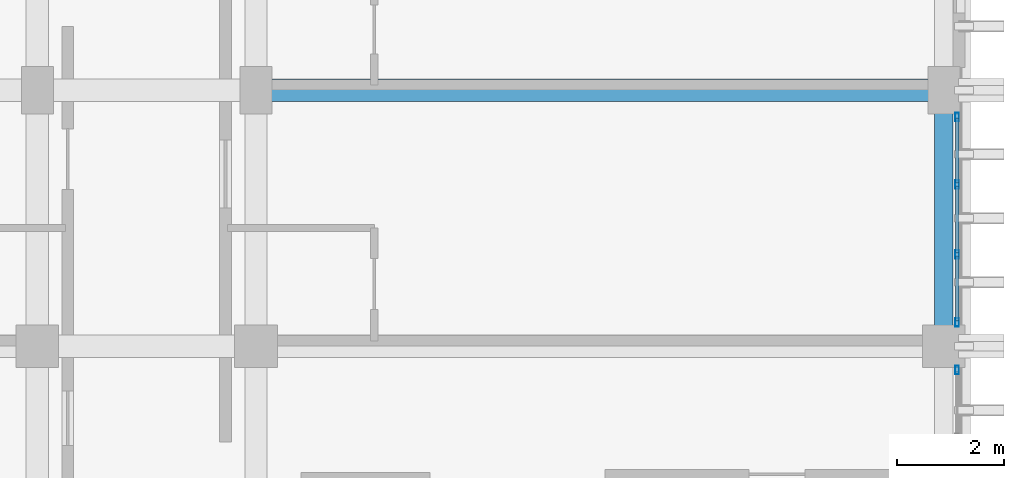
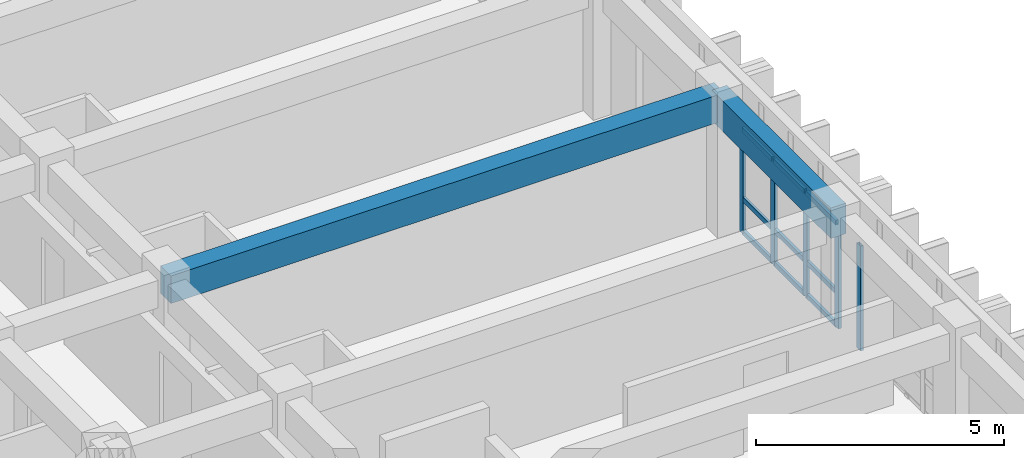
# One storey, part 27 of 82: 14 members, 2 beams, 2 elements without a shape of their own.
"""IFC4 building model written with IfcOpenShell, lengths in metres."""

from ifc_helpers import new_model, si_unit, direction, frame, origin, origin_2d, place, context, subcontext, project, spatial, rectangle, hollow_rectangle, extrude, material, layer, layer_set, material_profile, profile_set, type_object, element, aggregate, save


model = new_model("IFC4")

# Units and contexts
model_context = context("Model", 3, precision=1e-05, world=origin(), true_north=direction((0.0, 1.0)))
body_context = subcontext(model_context, "Body", "Model", "MODEL_VIEW")
ifc_project = project(units=[si_unit("LENGTHUNIT", "METRE"), si_unit("AREAUNIT", "SQUARE_METRE"), si_unit("VOLUMEUNIT", "CUBIC_METRE"), si_unit("PLANEANGLEUNIT", "RADIAN"), si_unit("MASSUNIT", "GRAM", prefix="KILO")], contexts=[model_context])

# Site, building, storey
site_placement = place(None, origin())
site = spatial("IfcSite", under=ifc_project, at=site_placement, CompositionType="ELEMENT")
building_placement = place(site_placement, origin())
building = spatial("IfcBuilding", under=site, at=building_placement, Name="Nakhvara Creek Congress Hotel", CompositionType="ELEMENT")
storey_placement = place(building_placement, frame((0.0, 0.0, 21.0)))
storey = spatial("IfcBuildingStorey", under=building, at=storey_placement, Name="L04", CompositionType="ELEMENT", Elevation=21.0)

# Beams
ifc_material_1 = material(Name="Concrete C40/50", Category="concrete")
ifc_material_profile_1 = material_profile(ifc_material_1, rectangle(XDim=0.419921875, YDim=0.679931640625, at=origin_2d()), Name="RC-BM 420x680", Category="LoadBearing")
ifc_profile_set_1 = profile_set([ifc_material_profile_1], Name="Concrete C40/50")
beam_type_1 = type_object("IfcBeamType", Name="BM-RC-420X680", PredefinedType="BEAM", material=ifc_profile_set_1)
beam_1_placement = place(storey_placement, frame((166.449951171875, 72.0, 3.0), z_axis=(1.0, 0.0, 0.0), x_axis=(0.0, 1.0, 0.0)))
element("IfcBeam", 1, at=beam_1_placement, inside=storey, type_object=beam_type_1, Name="Beam B11-L04-2052", PredefinedType="BEAM", context=body_context, shape_type="SweptSolid", body=[
    extrude(rectangle(XDim=0.419921875, YDim=0.679931640625, at=origin_2d()), origin(), (0.0, 0.0, 1.0), 12.900146484375),
])
ifc_material_profile_2 = material_profile(ifc_material_1, rectangle(XDim=0.35009765625, YDim=0.75, at=origin_2d()), Name="RC-SPANDREL 350x750", Category="LoadBearing")
ifc_profile_set_2 = profile_set([ifc_material_profile_2], Name="Concrete C40/50")
beam_type_2 = type_object("IfcBeamType", Name="BM-SPN-350X750", PredefinedType="SPANDREL", material=ifc_profile_set_2)
beam_2_placement = place(storey_placement, frame((179.35009765625, 67.199951171875, 2.965087890625), z_axis=(0.0, 1.0, 0.0), x_axis=(-1.0, 0.0, 0.0)))
element("IfcBeam", 2, at=beam_2_placement, inside=storey, type_object=beam_type_2, Name="Beam SP1-L04-2017", PredefinedType="SPANDREL", context=body_context, shape_type="SweptSolid", body=[
    extrude(rectangle(XDim=0.35009765625, YDim=0.75, at=origin_2d()), origin(), (0.0, 0.0, 1.0), 4.800048828125),
])

# Curtain wall, member
ifc_material_2 = material(Name="Bronze-anodised aluminium AW-6063-T6 and double-silver low-E glass", Category="aluminium")
ifc_layer = layer(ifc_material_2, 0.199951171875)
ifc_layer_set = layer_set([ifc_layer], Name="Bronze-anodised aluminium AW-6063-T6 and double-silver low-E glass")
curtain_wall_type = type_object("IfcCurtainWallType", Name="CW-HTL-UNIT", PredefinedType="USERDEFINED", material=ifc_layer_set)
curtain_wall_1_placement = place(storey_placement, origin())
curtain_wall_1 = element("IfcCurtainWall", 3, at=curtain_wall_1_placement, inside=storey, type_object=curtain_wall_type, Name="Curtain Wall CW184", ObjectType="UNITISED", PredefinedType="USERDEFINED")
ifc_material_3 = material(Name="Bronze-anodised aluminium AW-6063-T6", Category="aluminium")
ifc_material_profile_3 = material_profile(ifc_material_3, hollow_rectangle(XDim=0.06494140625, YDim=0.159912109375, WallThickness=0.00390625, at=origin_2d()), Name="ALU-MULL 65x160x4", Category="LoadBearing")
ifc_profile_set_3 = profile_set([ifc_material_profile_3], Name="Bronze-anodised aluminium AW-6063-T6")
member_type_1 = type_object("IfcMemberType", Name="CW-MULL-160", PredefinedType="MULLION", material=ifc_profile_set_3)
member_1_placement = place(storey_placement, frame((179.60009765625, 66.75244140625, 0.0), z_axis=(0.0, 0.0, 1.0), x_axis=(1.0, 0.0, 0.0)))
member_1 = element("IfcMember", 4, at=member_1_placement, type_object=member_type_1, Name="CW184 mullion 1", PredefinedType="MULLION", context=body_context, shape_type="SweptSolid", body=[
    extrude(hollow_rectangle(XDim=0.06494140625, YDim=0.159912109375, WallThickness=0.00390625, at=origin_2d()), origin(), (0.0, 0.0, 1.0), 2.58203125),
])
aggregate(curtain_wall_1, [member_1])

# Curtain wall, members
curtain_wall_2_placement = place(storey_placement, origin())
curtain_wall_2 = element("IfcCurtainWall", 5, at=curtain_wall_2_placement, inside=storey, type_object=curtain_wall_type, Name="Curtain Wall CW186", ObjectType="UNITISED", PredefinedType="USERDEFINED")
member_2_placement = place(storey_placement, frame((179.60009765625, 71.50244140625, 0.0), z_axis=(0.0, 0.0, 1.0), x_axis=(1.0, 0.0, 0.0)))
member_2 = element("IfcMember", 6, at=member_2_placement, type_object=member_type_1, Name="CW186 mullion 1", PredefinedType="MULLION", context=body_context, shape_type="SweptSolid", body=[
    extrude(hollow_rectangle(XDim=0.06494140625, YDim=0.159912109375, WallThickness=0.00390625, at=origin_2d()), origin(), (0.0, 0.0, 1.0), 2.58203125),
])
member_3_placement = place(storey_placement, frame((179.60009765625, 70.228271484375, 0.0), z_axis=(0.0, 0.0, 1.0), x_axis=(1.0, 0.0, 0.0)))
member_3 = element("IfcMember", 7, at=member_3_placement, type_object=member_type_1, Name="CW186 mullion 2", PredefinedType="MULLION", context=body_context, shape_type="SweptSolid", body=[
    extrude(hollow_rectangle(XDim=0.06494140625, YDim=0.159912109375, WallThickness=0.00390625, at=origin_2d()), origin(), (0.0, 0.0, 1.0), 2.58203125),
])
member_4_placement = place(storey_placement, frame((179.60009765625, 68.921630859375, 0.0), z_axis=(0.0, 0.0, 1.0), x_axis=(1.0, 0.0, 0.0)))
member_4 = element("IfcMember", 8, at=member_4_placement, type_object=member_type_1, Name="CW186 mullion 3", PredefinedType="MULLION", context=body_context, shape_type="SweptSolid", body=[
    extrude(hollow_rectangle(XDim=0.06494140625, YDim=0.159912109375, WallThickness=0.00390625, at=origin_2d()), origin(), (0.0, 0.0, 1.0), 2.58203125),
])
member_5_placement = place(storey_placement, frame((179.60009765625, 67.6474609375, 0.0), z_axis=(0.0, 0.0, 1.0), x_axis=(1.0, 0.0, 0.0)))
member_5 = element("IfcMember", 9, at=member_5_placement, type_object=member_type_1, Name="CW186 mullion 4", PredefinedType="MULLION", context=body_context, shape_type="SweptSolid", body=[
    extrude(hollow_rectangle(XDim=0.06494140625, YDim=0.159912109375, WallThickness=0.00390625, at=origin_2d()), origin(), (0.0, 0.0, 1.0), 2.58203125),
])
ifc_material_profile_4 = material_profile(ifc_material_3, hollow_rectangle(XDim=0.06494140625, YDim=0.1201171875, WallThickness=0.00390625, at=origin_2d()), Name="ALU-TRAN 65x120x4", Category="LoadBearing")
ifc_profile_set_4 = profile_set([ifc_material_profile_4], Name="Bronze-anodised aluminium AW-6063-T6")
member_type_2 = type_object("IfcMemberType", Name="CW-TRAN-120", PredefinedType="USERDEFINED", material=ifc_profile_set_4)
member_6_placement = place(storey_placement, frame((179.60009765625, 71.469970703125, 0.032470703125), z_axis=(0.0, -1.0, 0.0), x_axis=(1.0, 0.0, 0.0)))
member_6 = element("IfcMember", 10, at=member_6_placement, type_object=member_type_2, Name="CW186 transom 1.1", ObjectType="TRANSOM", PredefinedType="USERDEFINED", context=body_context, shape_type="SweptSolid", body=[
    extrude(hollow_rectangle(XDim=0.06494140625, YDim=0.1201171875, WallThickness=0.00390625, at=origin_2d()), origin(), (0.0, 0.0, 1.0), 1.209228515625),
])
member_7_placement = place(storey_placement, frame((179.60009765625, 71.469970703125, 0.85009765625), z_axis=(0.0, -1.0, 0.0), x_axis=(1.0, 0.0, 0.0)))
member_7 = element("IfcMember", 11, at=member_7_placement, type_object=member_type_2, Name="CW186 transom 1.2", ObjectType="TRANSOM", PredefinedType="USERDEFINED", context=body_context, shape_type="SweptSolid", body=[
    extrude(hollow_rectangle(XDim=0.06494140625, YDim=0.1201171875, WallThickness=0.00390625, at=origin_2d()), origin(), (0.0, 0.0, 1.0), 1.209228515625),
])
member_8_placement = place(storey_placement, frame((179.60009765625, 71.469970703125, 2.549560546875), z_axis=(0.0, -1.0, 0.0), x_axis=(1.0, 0.0, 0.0)))
member_8 = element("IfcMember", 12, at=member_8_placement, type_object=member_type_2, Name="CW186 transom 1.3", ObjectType="TRANSOM", PredefinedType="USERDEFINED", context=body_context, shape_type="SweptSolid", body=[
    extrude(hollow_rectangle(XDim=0.06494140625, YDim=0.1201171875, WallThickness=0.00390625, at=origin_2d()), origin(), (0.0, 0.0, 1.0), 1.209228515625),
])
member_9_placement = place(storey_placement, frame((179.60009765625, 70.19580078125, 0.032470703125), z_axis=(0.0, -1.0, 0.0), x_axis=(1.0, 0.0, 0.0)))
member_9 = element("IfcMember", 13, at=member_9_placement, type_object=member_type_2, Name="CW186 transom 2.1", ObjectType="TRANSOM", PredefinedType="USERDEFINED", context=body_context, shape_type="SweptSolid", body=[
    extrude(hollow_rectangle(XDim=0.06494140625, YDim=0.1201171875, WallThickness=0.00390625, at=origin_2d()), origin(), (0.0, 0.0, 1.0), 1.24169921875),
])
member_10_placement = place(storey_placement, frame((179.60009765625, 70.19580078125, 0.85009765625), z_axis=(0.0, -1.0, 0.0), x_axis=(1.0, 0.0, 0.0)))
member_10 = element("IfcMember", 14, at=member_10_placement, type_object=member_type_2, Name="CW186 transom 2.2", ObjectType="TRANSOM", PredefinedType="USERDEFINED", context=body_context, shape_type="SweptSolid", body=[
    extrude(hollow_rectangle(XDim=0.06494140625, YDim=0.1201171875, WallThickness=0.00390625, at=origin_2d()), origin(), (0.0, 0.0, 1.0), 1.24169921875),
])
member_11_placement = place(storey_placement, frame((179.60009765625, 70.19580078125, 2.549560546875), z_axis=(0.0, -1.0, 0.0), x_axis=(1.0, 0.0, 0.0)))
member_11 = element("IfcMember", 15, at=member_11_placement, type_object=member_type_2, Name="CW186 transom 2.3", ObjectType="TRANSOM", PredefinedType="USERDEFINED", context=body_context, shape_type="SweptSolid", body=[
    extrude(hollow_rectangle(XDim=0.06494140625, YDim=0.1201171875, WallThickness=0.00390625, at=origin_2d()), origin(), (0.0, 0.0, 1.0), 1.24169921875),
])
member_12_placement = place(storey_placement, frame((179.60009765625, 68.88916015625, 0.032470703125), z_axis=(0.0, -1.0, 0.0), x_axis=(1.0, 0.0, 0.0)))
member_12 = element("IfcMember", 16, at=member_12_placement, type_object=member_type_2, Name="CW186 transom 3.1", ObjectType="TRANSOM", PredefinedType="USERDEFINED", context=body_context, shape_type="SweptSolid", body=[
    extrude(hollow_rectangle(XDim=0.06494140625, YDim=0.1201171875, WallThickness=0.00390625, at=origin_2d()), origin(), (0.0, 0.0, 1.0), 1.209228515625),
])
member_13_placement = place(storey_placement, frame((179.60009765625, 68.88916015625, 0.85009765625), z_axis=(0.0, -1.0, 0.0), x_axis=(1.0, 0.0, 0.0)))
member_13 = element("IfcMember", 17, at=member_13_placement, type_object=member_type_2, Name="CW186 transom 3.2", ObjectType="TRANSOM", PredefinedType="USERDEFINED", context=body_context, shape_type="SweptSolid", body=[
    extrude(hollow_rectangle(XDim=0.06494140625, YDim=0.1201171875, WallThickness=0.00390625, at=origin_2d()), origin(), (0.0, 0.0, 1.0), 1.209228515625),
])
member_14_placement = place(storey_placement, frame((179.60009765625, 68.88916015625, 2.549560546875), z_axis=(0.0, -1.0, 0.0), x_axis=(1.0, 0.0, 0.0)))
member_14 = element("IfcMember", 18, at=member_14_placement, type_object=member_type_2, Name="CW186 transom 3.3", ObjectType="TRANSOM", PredefinedType="USERDEFINED", context=body_context, shape_type="SweptSolid", body=[
    extrude(hollow_rectangle(XDim=0.06494140625, YDim=0.1201171875, WallThickness=0.00390625, at=origin_2d()), origin(), (0.0, 0.0, 1.0), 1.209228515625),
])
aggregate(curtain_wall_2, [member_2, member_3, member_4, member_5, member_6, member_7, member_8, member_9, member_10, member_11, member_12, member_13, member_14])

save(model, "model.ifc")
